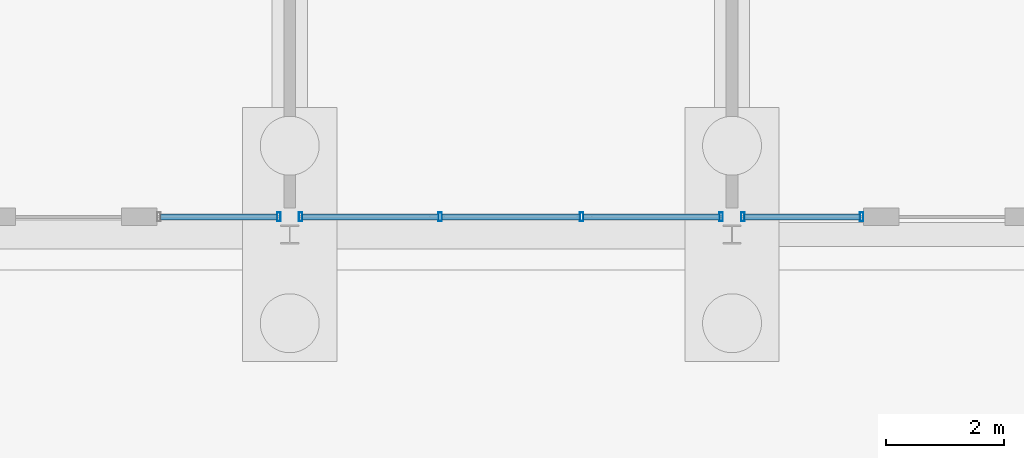
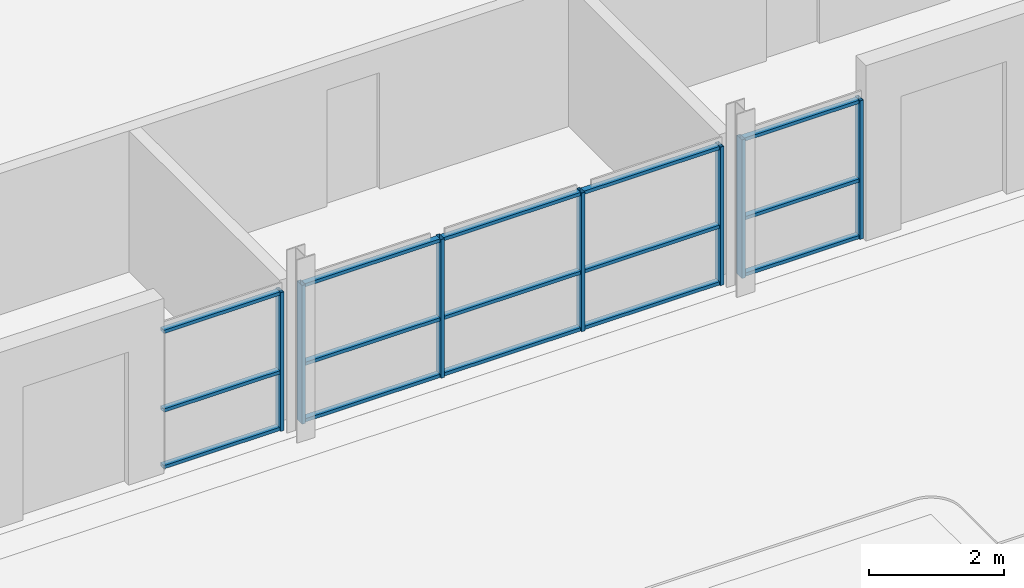
# One storey, part 49 of 130: 22 members, 3 elements without a shape of their own.
"""IFC4 building model written with IfcOpenShell, lengths in metres."""

from ifc_helpers import new_model, si_unit, direction, frame, origin, origin_2d, place, context, subcontext, project, spatial, hollow_rectangle, extrude, material, material_profile, profile_set, type_object, element, aggregate, save


model = new_model("IFC4")

# Units and contexts
model_context = context("Model", 3, precision=1e-05, world=origin(), true_north=direction((0.0, 1.0)))
body_context = subcontext(model_context, "Body", "Model", "MODEL_VIEW")
ifc_project = project(units=[si_unit("LENGTHUNIT", "METRE"), si_unit("AREAUNIT", "SQUARE_METRE"), si_unit("VOLUMEUNIT", "CUBIC_METRE"), si_unit("PLANEANGLEUNIT", "RADIAN"), si_unit("MASSUNIT", "GRAM", prefix="KILO")], contexts=[model_context])

# Site, building, storey
site_placement = place(None, origin())
site = spatial("IfcSite", under=ifc_project, at=site_placement, CompositionType="ELEMENT")
building_placement = place(site_placement, origin())
building = spatial("IfcBuilding", under=site, at=building_placement, Name="Parallax Yard Mobility Hub", CompositionType="ELEMENT")
storey_placement = place(building_placement, origin())
storey = spatial("IfcBuildingStorey", under=building, at=storey_placement, Name="L00", CompositionType="ELEMENT", Elevation=0.0)

# Curtain wall, member
ifc_material_1 = material(Name="Aluminium and glass curtain wall", Category="aluminium")
curtain_wall_type = type_object("IfcCurtainWallType", Name="Curtain wall, aluminium stick system", PredefinedType="NOTDEFINED", material=ifc_material_1)
curtain_wall_1_placement = place(storey_placement, origin())
curtain_wall_1 = element("IfcCurtainWall", 1, at=curtain_wall_1_placement, inside=storey, type_object=curtain_wall_type, Name="Curtain wall CW04 level L00 bay 2", PredefinedType="NOTDEFINED")
ifc_material_2 = material(Name="Aluminium 6063-T6 anodised", Category="aluminium")
ifc_material_profile_1 = material_profile(ifc_material_2, hollow_rectangle(XDim=0.14990234375, YDim=0.06005859375, WallThickness=0.00390625, at=origin_2d()), Name="RHS 60x150x4")
ifc_profile_set_1 = profile_set([ifc_material_profile_1], Name="Aluminium 6063-T6 anodised")
member_type_1 = type_object("IfcMemberType", Name="Curtain wall mullion RHS 60x150x4", PredefinedType="MULLION", material=ifc_profile_set_1)
member_1_placement = place(storey_placement, frame((44.81640625, 112.800048828125, 0.0), z_axis=(0.0, 0.0, 1.0), x_axis=(0.0, 1.0, 0.0)))
member_1 = element("IfcMember", 2, at=member_1_placement, type_object=member_type_1, Name="CW04 mullion 2", PredefinedType="MULLION", context=body_context, shape_type="SweptSolid", body=[
    extrude(hollow_rectangle(XDim=0.14990234375, YDim=0.06005859375, WallThickness=0.00390625, at=origin_2d()), origin(), (0.0, 0.0, 1.0), 2.5),
])

# Curtain wall, members
curtain_wall_2_placement = place(storey_placement, origin())
curtain_wall_2 = element("IfcCurtainWall", 3, at=curtain_wall_2_placement, inside=storey, type_object=curtain_wall_type, Name="Curtain wall CW05 level L00 bay 3", PredefinedType="NOTDEFINED")
member_2_placement = place(storey_placement, frame((45.18359375, 112.800048828125, 0.0), z_axis=(0.0, 0.0, 1.0), x_axis=(0.0, 1.0, 0.0)))
member_2 = element("IfcMember", 4, at=member_2_placement, type_object=member_type_1, Name="CW05 mullion 1", PredefinedType="MULLION", context=body_context, shape_type="SweptSolid", body=[
    extrude(hollow_rectangle(XDim=0.14990234375, YDim=0.06005859375, WallThickness=0.00390625, at=origin_2d()), origin(), (0.0, 0.0, 1.0), 2.5),
])
member_3_placement = place(storey_placement, frame((47.55126953125, 112.800048828125, 0.0), z_axis=(0.0, 0.0, 1.0), x_axis=(0.0, 1.0, 0.0)))
member_3 = element("IfcMember", 5, at=member_3_placement, type_object=member_type_1, Name="CW05 mullion 2", PredefinedType="MULLION", context=body_context, shape_type="SweptSolid", body=[
    extrude(hollow_rectangle(XDim=0.14990234375, YDim=0.06005859375, WallThickness=0.00390625, at=origin_2d()), origin(), (0.0, 0.0, 1.0), 2.5),
])
member_4_placement = place(storey_placement, frame((49.94873046875, 112.800048828125, 0.0), z_axis=(0.0, 0.0, 1.0), x_axis=(0.0, 1.0, 0.0)))
member_4 = element("IfcMember", 6, at=member_4_placement, type_object=member_type_1, Name="CW05 mullion 3", PredefinedType="MULLION", context=body_context, shape_type="SweptSolid", body=[
    extrude(hollow_rectangle(XDim=0.14990234375, YDim=0.06005859375, WallThickness=0.00390625, at=origin_2d()), origin(), (0.0, 0.0, 1.0), 2.5),
])
member_5_placement = place(storey_placement, frame((52.31640625, 112.800048828125, 0.0), z_axis=(0.0, 0.0, 1.0), x_axis=(0.0, 1.0, 0.0)))
member_5 = element("IfcMember", 7, at=member_5_placement, type_object=member_type_1, Name="CW05 mullion 4", PredefinedType="MULLION", context=body_context, shape_type="SweptSolid", body=[
    extrude(hollow_rectangle(XDim=0.14990234375, YDim=0.06005859375, WallThickness=0.00390625, at=origin_2d()), origin(), (0.0, 0.0, 1.0), 2.5),
])

curtain_wall_3_placement = place(storey_placement, origin())
curtain_wall_3 = element("IfcCurtainWall", 8, at=curtain_wall_3_placement, inside=storey, type_object=curtain_wall_type, Name="Curtain wall CW06 level L00 bay 4", PredefinedType="NOTDEFINED")
member_6_placement = place(storey_placement, frame((52.68359375, 112.800048828125, 0.0), z_axis=(0.0, 0.0, 1.0), x_axis=(0.0, 1.0, 0.0)))
member_6 = element("IfcMember", 9, at=member_6_placement, type_object=member_type_1, Name="CW06 mullion 1", PredefinedType="MULLION", context=body_context, shape_type="SweptSolid", body=[
    extrude(hollow_rectangle(XDim=0.14990234375, YDim=0.06005859375, WallThickness=0.00390625, at=origin_2d()), origin(), (0.0, 0.0, 1.0), 2.5),
])
member_7_placement = place(storey_placement, frame((54.6982421875, 112.800048828125, 0.0), z_axis=(0.0, 0.0, 1.0), x_axis=(0.0, 1.0, 0.0)))
member_7 = element("IfcMember", 10, at=member_7_placement, type_object=member_type_1, Name="CW06 mullion 2", PredefinedType="MULLION", context=body_context, shape_type="SweptSolid", body=[
    extrude(hollow_rectangle(XDim=0.14990234375, YDim=0.06005859375, WallThickness=0.00390625, at=origin_2d()), origin(), (0.0, 0.0, 1.0), 2.5),
])

# Member
ifc_material_profile_2 = material_profile(ifc_material_2, hollow_rectangle(XDim=0.10009765625, YDim=0.06005859375, WallThickness=0.00390625, at=origin_2d()), Name="RHS 60x100x4")
ifc_profile_set_2 = profile_set([ifc_material_profile_2], Name="Aluminium 6063-T6 anodised")
member_type_2 = type_object("IfcMemberType", Name="Curtain wall transom RHS 60x100x4", PredefinedType="USERDEFINED", material=ifc_profile_set_2)
member_8_placement = place(storey_placement, frame((42.81005859375, 112.800048828125, 0.030029296875), z_axis=(1.0, 0.0, 0.0), x_axis=(0.0, 1.0, 0.0)))
member_8 = element("IfcMember", 11, at=member_8_placement, type_object=member_type_2, Name="CW04 transom 1.1", ObjectType="TRANSOM", PredefinedType="USERDEFINED", context=body_context, shape_type="SweptSolid", body=[
    extrude(hollow_rectangle(XDim=0.10009765625, YDim=0.06005859375, WallThickness=0.00390625, at=origin_2d()), origin(), (0.0, 0.0, 1.0), 1.9765625),
])

member_9_placement = place(storey_placement, frame((42.81005859375, 112.800048828125, 1.050048828125), z_axis=(1.0, 0.0, 0.0), x_axis=(0.0, 1.0, 0.0)))
member_9 = element("IfcMember", 12, at=member_9_placement, type_object=member_type_2, Name="CW04 transom 1.2", ObjectType="TRANSOM", PredefinedType="USERDEFINED", context=body_context, shape_type="SweptSolid", body=[
    extrude(hollow_rectangle(XDim=0.10009765625, YDim=0.06005859375, WallThickness=0.00390625, at=origin_2d()), origin(), (0.0, 0.0, 1.0), 1.9765625),
])

member_10_placement = place(storey_placement, frame((42.81005859375, 112.800048828125, 2.469970703125), z_axis=(1.0, 0.0, 0.0), x_axis=(0.0, 1.0, 0.0)))
member_10 = element("IfcMember", 13, at=member_10_placement, type_object=member_type_2, Name="CW04 transom 1.3", ObjectType="TRANSOM", PredefinedType="USERDEFINED", context=body_context, shape_type="SweptSolid", body=[
    extrude(hollow_rectangle(XDim=0.10009765625, YDim=0.06005859375, WallThickness=0.00390625, at=origin_2d()), origin(), (0.0, 0.0, 1.0), 1.9765625),
])

aggregate(curtain_wall_1, [member_1, member_8, member_9, member_10])

member_11_placement = place(storey_placement, frame((45.21337890625, 112.800048828125, 0.030029296875), z_axis=(1.0, 0.0, 0.0), x_axis=(0.0, 1.0, 0.0)))
member_11 = element("IfcMember", 14, at=member_11_placement, type_object=member_type_2, Name="CW05 transom 1.1", ObjectType="TRANSOM", PredefinedType="USERDEFINED", context=body_context, shape_type="SweptSolid", body=[
    extrude(hollow_rectangle(XDim=0.10009765625, YDim=0.06005859375, WallThickness=0.00390625, at=origin_2d()), origin(), (0.0, 0.0, 1.0), 2.307861328125),
])

member_12_placement = place(storey_placement, frame((45.21337890625, 112.800048828125, 1.050048828125), z_axis=(1.0, 0.0, 0.0), x_axis=(0.0, 1.0, 0.0)))
member_12 = element("IfcMember", 15, at=member_12_placement, type_object=member_type_2, Name="CW05 transom 1.2", ObjectType="TRANSOM", PredefinedType="USERDEFINED", context=body_context, shape_type="SweptSolid", body=[
    extrude(hollow_rectangle(XDim=0.10009765625, YDim=0.06005859375, WallThickness=0.00390625, at=origin_2d()), origin(), (0.0, 0.0, 1.0), 2.307861328125),
])

member_13_placement = place(storey_placement, frame((45.21337890625, 112.800048828125, 2.469970703125), z_axis=(1.0, 0.0, 0.0), x_axis=(0.0, 1.0, 0.0)))
member_13 = element("IfcMember", 16, at=member_13_placement, type_object=member_type_2, Name="CW05 transom 1.3", ObjectType="TRANSOM", PredefinedType="USERDEFINED", context=body_context, shape_type="SweptSolid", body=[
    extrude(hollow_rectangle(XDim=0.10009765625, YDim=0.06005859375, WallThickness=0.00390625, at=origin_2d()), origin(), (0.0, 0.0, 1.0), 2.307861328125),
])

member_14_placement = place(storey_placement, frame((47.5810546875, 112.800048828125, 0.030029296875), z_axis=(1.0, 0.0, 0.0), x_axis=(0.0, 1.0, 0.0)))
member_14 = element("IfcMember", 17, at=member_14_placement, type_object=member_type_2, Name="CW05 transom 2.1", ObjectType="TRANSOM", PredefinedType="USERDEFINED", context=body_context, shape_type="SweptSolid", body=[
    extrude(hollow_rectangle(XDim=0.10009765625, YDim=0.06005859375, WallThickness=0.00390625, at=origin_2d()), origin(), (0.0, 0.0, 1.0), 2.337890625),
])

member_15_placement = place(storey_placement, frame((47.5810546875, 112.800048828125, 1.050048828125), z_axis=(1.0, 0.0, 0.0), x_axis=(0.0, 1.0, 0.0)))
member_15 = element("IfcMember", 18, at=member_15_placement, type_object=member_type_2, Name="CW05 transom 2.2", ObjectType="TRANSOM", PredefinedType="USERDEFINED", context=body_context, shape_type="SweptSolid", body=[
    extrude(hollow_rectangle(XDim=0.10009765625, YDim=0.06005859375, WallThickness=0.00390625, at=origin_2d()), origin(), (0.0, 0.0, 1.0), 2.337890625),
])

member_16_placement = place(storey_placement, frame((47.5810546875, 112.800048828125, 2.469970703125), z_axis=(1.0, 0.0, 0.0), x_axis=(0.0, 1.0, 0.0)))
member_16 = element("IfcMember", 19, at=member_16_placement, type_object=member_type_2, Name="CW05 transom 2.3", ObjectType="TRANSOM", PredefinedType="USERDEFINED", context=body_context, shape_type="SweptSolid", body=[
    extrude(hollow_rectangle(XDim=0.10009765625, YDim=0.06005859375, WallThickness=0.00390625, at=origin_2d()), origin(), (0.0, 0.0, 1.0), 2.337890625),
])

member_17_placement = place(storey_placement, frame((49.978759765625, 112.800048828125, 0.030029296875), z_axis=(1.0, 0.0, 0.0), x_axis=(0.0, 1.0, 0.0)))
member_17 = element("IfcMember", 20, at=member_17_placement, type_object=member_type_2, Name="CW05 transom 3.1", ObjectType="TRANSOM", PredefinedType="USERDEFINED", context=body_context, shape_type="SweptSolid", body=[
    extrude(hollow_rectangle(XDim=0.10009765625, YDim=0.06005859375, WallThickness=0.00390625, at=origin_2d()), origin(), (0.0, 0.0, 1.0), 2.307861328125),
])

member_18_placement = place(storey_placement, frame((49.978759765625, 112.800048828125, 1.050048828125), z_axis=(1.0, 0.0, 0.0), x_axis=(0.0, 1.0, 0.0)))
member_18 = element("IfcMember", 21, at=member_18_placement, type_object=member_type_2, Name="CW05 transom 3.2", ObjectType="TRANSOM", PredefinedType="USERDEFINED", context=body_context, shape_type="SweptSolid", body=[
    extrude(hollow_rectangle(XDim=0.10009765625, YDim=0.06005859375, WallThickness=0.00390625, at=origin_2d()), origin(), (0.0, 0.0, 1.0), 2.307861328125),
])

member_19_placement = place(storey_placement, frame((49.978759765625, 112.800048828125, 2.469970703125), z_axis=(1.0, 0.0, 0.0), x_axis=(0.0, 1.0, 0.0)))
member_19 = element("IfcMember", 22, at=member_19_placement, type_object=member_type_2, Name="CW05 transom 3.3", ObjectType="TRANSOM", PredefinedType="USERDEFINED", context=body_context, shape_type="SweptSolid", body=[
    extrude(hollow_rectangle(XDim=0.10009765625, YDim=0.06005859375, WallThickness=0.00390625, at=origin_2d()), origin(), (0.0, 0.0, 1.0), 2.307861328125),
])

aggregate(curtain_wall_2, [member_2, member_3, member_4, member_5, member_11, member_12, member_13, member_14, member_15, member_16, member_17, member_18, member_19])

member_20_placement = place(storey_placement, frame((52.71337890625, 112.800048828125, 0.030029296875), z_axis=(1.0, 0.0, 0.0), x_axis=(0.0, 1.0, 0.0)))
member_20 = element("IfcMember", 23, at=member_20_placement, type_object=member_type_2, Name="CW06 transom 1.1", ObjectType="TRANSOM", PredefinedType="USERDEFINED", context=body_context, shape_type="SweptSolid", body=[
    extrude(hollow_rectangle(XDim=0.10009765625, YDim=0.06005859375, WallThickness=0.00390625, at=origin_2d()), origin(), (0.0, 0.0, 1.0), 1.954833984375),
])

member_21_placement = place(storey_placement, frame((52.71337890625, 112.800048828125, 1.050048828125), z_axis=(1.0, 0.0, 0.0), x_axis=(0.0, 1.0, 0.0)))
member_21 = element("IfcMember", 24, at=member_21_placement, type_object=member_type_2, Name="CW06 transom 1.2", ObjectType="TRANSOM", PredefinedType="USERDEFINED", context=body_context, shape_type="SweptSolid", body=[
    extrude(hollow_rectangle(XDim=0.10009765625, YDim=0.06005859375, WallThickness=0.00390625, at=origin_2d()), origin(), (0.0, 0.0, 1.0), 1.954833984375),
])

member_22_placement = place(storey_placement, frame((52.71337890625, 112.800048828125, 2.469970703125), z_axis=(1.0, 0.0, 0.0), x_axis=(0.0, 1.0, 0.0)))
member_22 = element("IfcMember", 25, at=member_22_placement, type_object=member_type_2, Name="CW06 transom 1.3", ObjectType="TRANSOM", PredefinedType="USERDEFINED", context=body_context, shape_type="SweptSolid", body=[
    extrude(hollow_rectangle(XDim=0.10009765625, YDim=0.06005859375, WallThickness=0.00390625, at=origin_2d()), origin(), (0.0, 0.0, 1.0), 1.954833984375),
])

aggregate(curtain_wall_3, [member_6, member_7, member_20, member_21, member_22])

save(model, "model.ifc")
